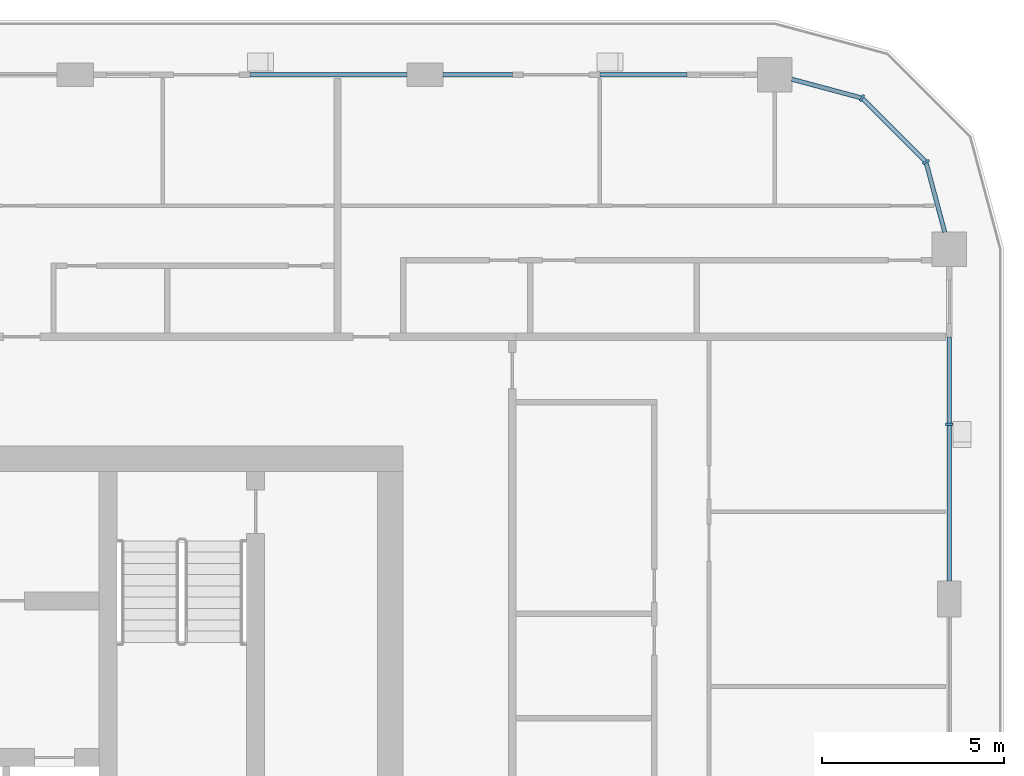
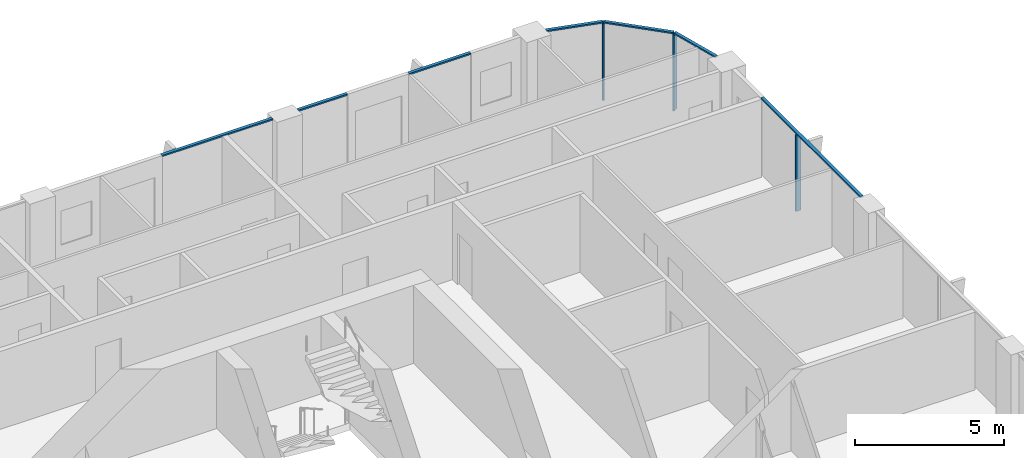
# One storey, part 6 of 21: 10 members, 4 elements without a shape of their own.
"""IFC4 building model written with IfcOpenShell, lengths in metres."""

from ifc_helpers import new_model, si_unit, direction, frame, origin, origin_2d, place, context, subcontext, project, spatial, rectangle, extrude, material, layer, layer_set, material_profile, profile_set, type_object, element, aggregate, save


model = new_model("IFC4")

# Units and contexts
model_context = context("Model", 3, precision=1e-05, world=origin(), true_north=direction((0.0, 1.0)))
body_context = subcontext(model_context, "Body", "Model", "MODEL_VIEW")
ifc_project = project(units=[si_unit("LENGTHUNIT", "METRE"), si_unit("AREAUNIT", "SQUARE_METRE"), si_unit("VOLUMEUNIT", "CUBIC_METRE"), si_unit("PLANEANGLEUNIT", "RADIAN"), si_unit("MASSUNIT", "GRAM", prefix="KILO")], contexts=[model_context])

# Site, building, storey
site_placement = place(None, origin())
site = spatial("IfcSite", under=ifc_project, at=site_placement, CompositionType="ELEMENT")
building_placement = place(site_placement, origin())
building = spatial("IfcBuilding", under=site, at=building_placement, Name="Madar Terraces", CompositionType="ELEMENT")
storey_placement = place(building_placement, frame((0.0, 0.0, 196.39990234375)))
storey = spatial("IfcBuildingStorey", under=building, at=storey_placement, Name="L51", CompositionType="ELEMENT", Elevation=196.39990234375)

# Curtain wall, member
ifc_material_1 = material(Name="Glass, ceramic frit dark grey, with black aluminium frame", Category="aluminium")
ifc_layer = layer(ifc_material_1, 0.199951171875)
ifc_layer_set = layer_set([ifc_layer], Name="Facade curtain wall, fritted glass")
curtain_wall_type = type_object("IfcCurtainWallType", Name="Facade curtain wall, fritted glass", PredefinedType="NOTDEFINED", material=ifc_layer_set)
curtain_wall_1_placement = place(storey_placement, origin())
curtain_wall_1 = element("IfcCurtainWall", 1, at=curtain_wall_1_placement, inside=storey, type_object=curtain_wall_type, Name="Outer skin curtain wall east bay 4", PredefinedType="NOTDEFINED")
ifc_material_2 = material(Name="Aluminium, black anodised", Category="aluminium")
ifc_material_profile_1 = material_profile(ifc_material_2, rectangle(XDim=0.199951171875, YDim=0.06005859375, at=origin_2d()), Name="Facade mullion 60x200")
ifc_profile_set_1 = profile_set([ifc_material_profile_1], Name="Aluminium, black anodised")
member_type_1 = type_object("IfcMemberType", Name="Facade mullion 60x200", PredefinedType="MULLION", material=ifc_profile_set_1)
member_1_placement = place(storey_placement, frame((62.39990234375, 38.39990234375, 0.0), z_axis=(0.0, 0.0, 1.0), x_axis=(-1.0, 0.0, 0.0)))
member_1 = element("IfcMember", 2, at=member_1_placement, type_object=member_type_1, Name="Mullion 1", PredefinedType="MULLION", context=body_context, shape_type="SweptSolid", body=[
    extrude(rectangle(XDim=0.199951171875, YDim=0.06005859375, at=origin_2d()), origin(), (0.0, 0.0, 1.0), 3.14013671875),
])

# Curtain wall, members
curtain_wall_2_placement = place(storey_placement, origin())
curtain_wall_2 = element("IfcCurtainWall", 3, at=curtain_wall_2_placement, inside=storey, type_object=curtain_wall_type, Name="Outer skin curtain wall north-east corner", PredefinedType="NOTDEFINED")
member_2_placement = place(storey_placement, frame((61.7568359375, 45.60009765625, 0.0), z_axis=(0.0, 0.0, 1.0), x_axis=(-0.866025409797, -0.499999989586, 0.0)))
member_2 = element("IfcMember", 4, at=member_2_placement, type_object=member_type_1, Name="Mullion 1", PredefinedType="MULLION", context=body_context, shape_type="SweptSolid", body=[
    extrude(rectangle(XDim=0.199951171875, YDim=0.06005859375, at=origin_2d()), origin(), (0.0, 0.0, 1.0), 3.14013671875),
])
member_3_placement = place(storey_placement, frame((60.0, 47.35693359375, 0.0), z_axis=(0.0, 0.0, 1.0), x_axis=(-0.499999989586, -0.866025409797, 0.0)))
member_3 = element("IfcMember", 5, at=member_3_placement, type_object=member_type_1, Name="Mullion 2", PredefinedType="MULLION", context=body_context, shape_type="SweptSolid", body=[
    extrude(rectangle(XDim=0.199951171875, YDim=0.06005859375, at=origin_2d()), origin(), (0.0, 0.0, 1.0), 3.14013671875),
])

# Member
ifc_material_3 = material(Name="Aluminium, black anodised", Category="aluminium")
ifc_material_profile_2 = material_profile(ifc_material_3, rectangle(XDim=0.1201171875, YDim=0.06005859375, at=origin_2d()), Name="Facade transom 60x120")
ifc_profile_set_2 = profile_set([ifc_material_profile_2], Name="Aluminium, black anodised")
member_type_2 = type_object("IfcMemberType", Name="Facade transom 60x120", PredefinedType="USERDEFINED", material=ifc_profile_set_2)
member_4_placement = place(storey_placement, frame((62.39990234375, 34.10009765625, 3.170166015625), z_axis=(0.0, 1.0, 0.0), x_axis=(-1.0, 0.0, 0.0)))
member_4 = element("IfcMember", 6, at=member_4_placement, type_object=member_type_2, Name="Transom 1", ObjectType="TRANSOM", PredefinedType="USERDEFINED", context=body_context, shape_type="SweptSolid", body=[
    extrude(rectangle(XDim=0.1201171875, YDim=0.06005859375, at=origin_2d()), origin(), (0.0, 0.0, 1.0), 6.699951171875),
])

aggregate(curtain_wall_1, [member_1, member_4])

# Curtain wall, members
curtain_wall_3_placement = place(storey_placement, origin())
curtain_wall_3 = element("IfcCurtainWall", 7, at=curtain_wall_3_placement, inside=storey, type_object=curtain_wall_type, Name="Outer skin curtain wall north bay 1", PredefinedType="NOTDEFINED")
member_5_placement = place(storey_placement, frame((55.199951171875, 48.0, 3.170166015625), z_axis=(-1.0, 0.0, 0.0), x_axis=(0.0, -1.0, 0.0)))
member_5 = element("IfcMember", 8, at=member_5_placement, type_object=member_type_2, Name="Transom 1", ObjectType="TRANSOM", PredefinedType="USERDEFINED", context=body_context, shape_type="SweptSolid", body=[
    extrude(rectangle(XDim=0.1201171875, YDim=0.06005859375, at=origin_2d()), origin(), (0.0, 0.0, 1.0), 2.39990234375),
])
member_6_placement = place(storey_placement, frame((50.39990234375, 48.0, 3.170166015625), z_axis=(-1.0, 0.0, 0.0), x_axis=(0.0, -1.0, 0.0)))
member_6 = element("IfcMember", 9, at=member_6_placement, type_object=member_type_2, Name="Transom 2", ObjectType="TRANSOM", PredefinedType="USERDEFINED", context=body_context, shape_type="SweptSolid", body=[
    extrude(rectangle(XDim=0.1201171875, YDim=0.06005859375, at=origin_2d()), origin(), (0.0, 0.0, 1.0), 1.89990234375),
])
aggregate(curtain_wall_3, [member_5, member_6])

# Curtain wall, member
curtain_wall_4_placement = place(storey_placement, origin())
curtain_wall_4 = element("IfcCurtainWall", 10, at=curtain_wall_4_placement, inside=storey, type_object=curtain_wall_type, Name="Outer skin curtain wall north bay 2", PredefinedType="NOTDEFINED")
member_7_placement = place(storey_placement, frame((47.5, 48.0, 3.170166015625), z_axis=(-1.0, 0.0, 0.0), x_axis=(0.0, -1.0, 0.0)))
member_7 = element("IfcMember", 11, at=member_7_placement, type_object=member_type_2, Name="Transom 1", ObjectType="TRANSOM", PredefinedType="USERDEFINED", context=body_context, shape_type="SweptSolid", body=[
    extrude(rectangle(XDim=0.1201171875, YDim=0.06005859375, at=origin_2d()), origin(), (0.0, 0.0, 1.0), 4.300048828125),
])
aggregate(curtain_wall_4, [member_7])

# Member
member_8_placement = place(storey_placement, frame((62.272705078125, 43.675048828125, 3.170166015625), z_axis=(-0.258831412352, 0.96592251241, 0.0), x_axis=(-0.96592251241, -0.258831412352, 0.0)))
member_8 = element("IfcMember", 12, at=member_8_placement, type_object=member_type_2, Name="Transom 1", ObjectType="TRANSOM", PredefinedType="USERDEFINED", context=body_context, shape_type="SweptSolid", body=[
    extrude(rectangle(XDim=0.1201171875, YDim=0.06005859375, at=origin_2d()), origin(), (0.0, 0.0, 1.0), 1.962890625),
])

member_9_placement = place(storey_placement, frame((61.735595703125, 45.62109375, 3.170166015625), z_axis=(-0.707056433593, 0.707157125196, 0.0), x_axis=(-0.707157125196, -0.707056433593, 0.0)))
member_9 = element("IfcMember", 13, at=member_9_placement, type_object=member_type_2, Name="Transom 2", ObjectType="TRANSOM", PredefinedType="USERDEFINED", context=body_context, shape_type="SweptSolid", body=[
    extrude(rectangle(XDim=0.1201171875, YDim=0.06005859375, at=origin_2d()), origin(), (0.0, 0.0, 1.0), 2.424560546875),
])

member_10_placement = place(storey_placement, frame((59.970947265625, 47.36474609375, 3.170166015625), z_axis=(-0.96592251241, 0.258831412352, 0.0), x_axis=(-0.258831412352, -0.96592251241, 0.0)))
member_10 = element("IfcMember", 14, at=member_10_placement, type_object=member_type_2, Name="Transom 3", ObjectType="TRANSOM", PredefinedType="USERDEFINED", context=body_context, shape_type="SweptSolid", body=[
    extrude(rectangle(XDim=0.1201171875, YDim=0.06005859375, at=origin_2d()), origin(), (0.0, 0.0, 1.0), 1.962890625),
])

aggregate(curtain_wall_2, [member_2, member_8, member_3, member_9, member_10])

save(model, "model.ifc")
